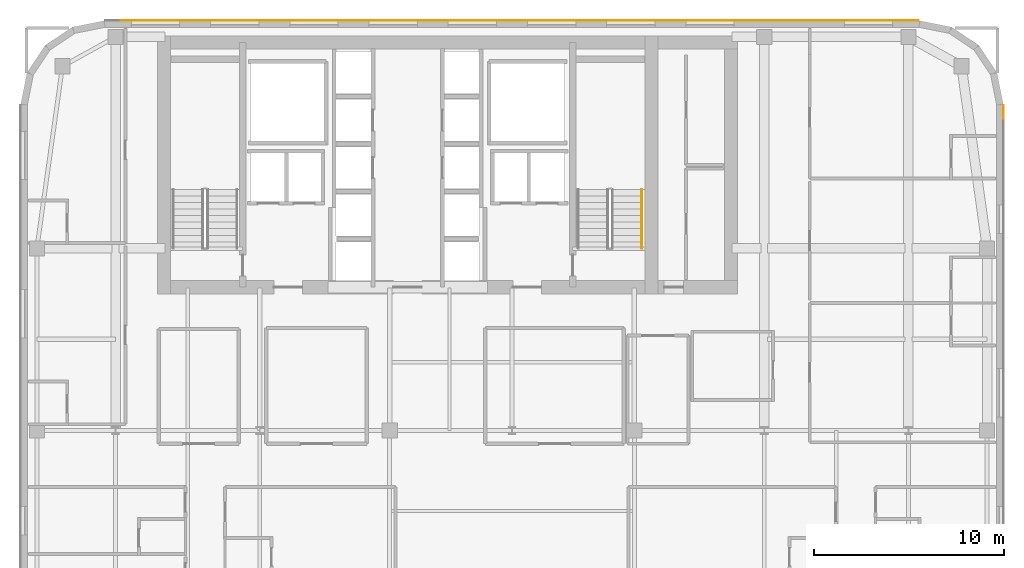
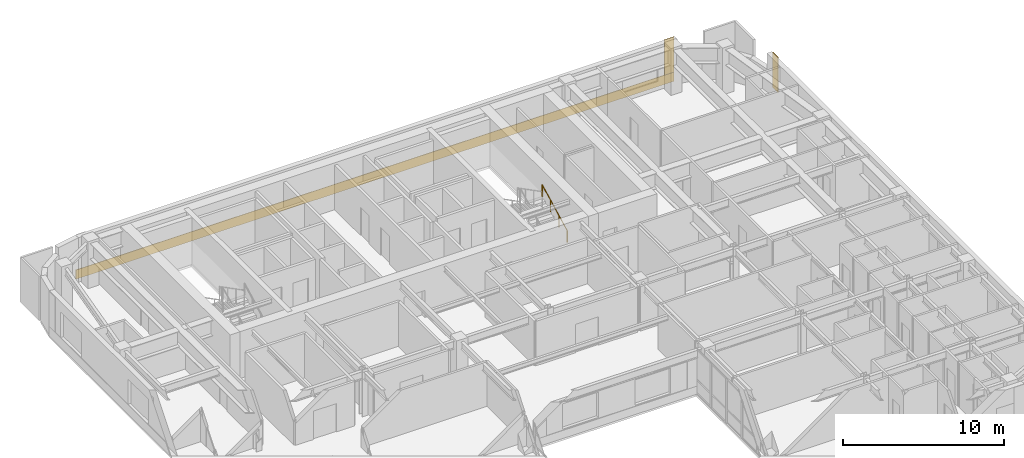
# One storey, part 21 of 21: 3 coverings, 1 railing.
"""IFC4 building model written with IfcOpenShell, lengths in metres."""

from ifc_helpers import new_model, si_unit, direction, frame, origin, origin_2d, place, context, subcontext, project, spatial, polyline, circle, outline, extrude, material, layer, layer_set, type_object, element, save


model = new_model("IFC4")

# Units and contexts
model_context = context("Model", 3, precision=1e-05, world=origin(), true_north=direction((0.0, 1.0)))
body_context = subcontext(model_context, "Body", "Model", "MODEL_VIEW")
ifc_project = project(units=[si_unit("LENGTHUNIT", "METRE"), si_unit("AREAUNIT", "SQUARE_METRE"), si_unit("VOLUMEUNIT", "CUBIC_METRE"), si_unit("PLANEANGLEUNIT", "RADIAN"), si_unit("MASSUNIT", "GRAM", prefix="KILO")], contexts=[model_context])

# Site, building, storey
site_placement = place(None, origin())
site = spatial("IfcSite", under=ifc_project, at=site_placement, CompositionType="ELEMENT")
building_placement = place(site_placement, origin())
building = spatial("IfcBuilding", under=site, at=building_placement, Name="Tolvann Quenvar Hotel", CompositionType="ELEMENT")
storey_placement = place(building_placement, frame((0.0, 0.0, 161.25)))
storey = spatial("IfcBuildingStorey", under=building, at=storey_placement, Name="L42", CompositionType="ELEMENT", Elevation=161.25)

# Coverings
ifc_material_1 = material(Name="Kiln-fired red architectural face brick cladding", Category="masonry")
ifc_layer_1 = layer(ifc_material_1, 0.0400390625)
ifc_layer_set_1 = layer_set([ifc_layer_1], Name="Kiln-fired red architectural face brick cladding")
covering_type_1 = type_object("IfcCoveringType", Name="COV_CLAD_BRICK_40", PredefinedType="CLADDING", material=ifc_layer_set_1)
covering_1_placement = place(storey_placement, frame((0.0, 0.0, 0.699951171875)))
element("IfcCovering", 1, at=covering_1_placement, inside=storey, type_object=covering_type_1, Name="Brick Pier Cladding (L42-E13-P2)", PredefinedType="CLADDING", context=body_context, shape_type="SweptSolid", body=[
    extrude(outline(polyline([(54.39990234375, 40.832763671875), (54.39990234375, 41.53271484375), (54.43994140625, 41.53271484375), (54.43994140625, 40.832763671875), (54.39990234375, 40.832763671875)])), origin(), (0.0, 0.0, 1.0), 2.670166015625),
])
covering_2_placement = place(storey_placement, frame((0.0, 0.0, 0.699951171875)))
element("IfcCovering", 2, at=covering_2_placement, inside=storey, type_object=covering_type_1, Name="Brick Pier Cladding (L42-E18-P1)", PredefinedType="CLADDING", context=body_context, shape_type="SweptSolid", body=[
    extrude(outline(polyline([(49.932861328125, 46.0), (49.23291015625, 46.0), (49.23291015625, 46.0400390625), (49.932861328125, 46.0400390625), (49.932861328125, 46.0)])), origin(), (0.0, 0.0, 1.0), 2.670166015625),
])
ifc_material_2 = material(Name="Moulded buff architectural terracotta spandrel cladding", Category="masonry")
ifc_layer_2 = layer(ifc_material_2, 0.0400390625)
ifc_layer_set_2 = layer_set([ifc_layer_2], Name="Moulded buff architectural terracotta spandrel cladding")
covering_type_2 = type_object("IfcCoveringType", Name="COV_CLAD_TERRA_40", PredefinedType="CLADDING", material=ifc_layer_set_2)
covering_3_placement = place(storey_placement, origin())
element("IfcCovering", 3, at=covering_3_placement, inside=storey, type_object=covering_type_2, Name="Terracotta Spandrel Cladding (L42-E18)", PredefinedType="CLADDING", context=body_context, shape_type="SweptSolid", body=[
    extrude(outline(polyline([(49.94287109375, 46.0), (7.05712890625, 46.0), (7.05712890625, 46.0400390625), (49.94287109375, 46.0400390625), (49.94287109375, 46.0)])), origin(), (0.0, 0.0, 1.0), 0.699951171875),
])

# Railing
ifc_material_3 = material(Name="Brushed 316 stainless steel balustrade and handrail", Category="steel")
railing_type = type_object("IfcRailingType", Name="HANDRAIL", PredefinedType="HANDRAIL", material=ifc_material_3)
railing_placement = place(storey_placement, frame((35.35009765625, 34.0, 0.177490234375)))
element("IfcRailing", 4, at=railing_placement, inside=storey, type_object=railing_type, Name="L42 ST-C2 stair handrail 1", PredefinedType="HANDRAIL", context=body_context, shape_type="SweptSolid", body=[
    extrude(circle(Radius=0.02392578125, at=origin_2d()), frame((0.0, 0.0, 0.8759765625), z_axis=(0.0, 0.889221982265, 0.45747597342), x_axis=(-1.0, 0.0, 0.0)), (0.0, 0.0, 1.0), 3.49169921875),
    extrude(circle(Radius=0.02099609375, at=origin_2d()), origin(), (0.0, 0.0, 1.0), 0.851806640625),
    extrude(circle(Radius=0.02099609375, at=origin_2d()), frame((0.0, 1.034912109375, 0.532470703125)), (0.0, 0.0, 1.0), 0.851806640625),
    extrude(circle(Radius=0.02099609375, at=origin_2d()), frame((0.0, 2.070068359375, 1.06494140625)), (0.0, 0.0, 1.0), 0.851806640625),
    extrude(circle(Radius=0.02099609375, at=origin_2d()), frame((0.0, 3.10498046875, 1.597412109375)), (0.0, 0.0, 1.0), 0.851806640625),
])

save(model, "model.ifc")
